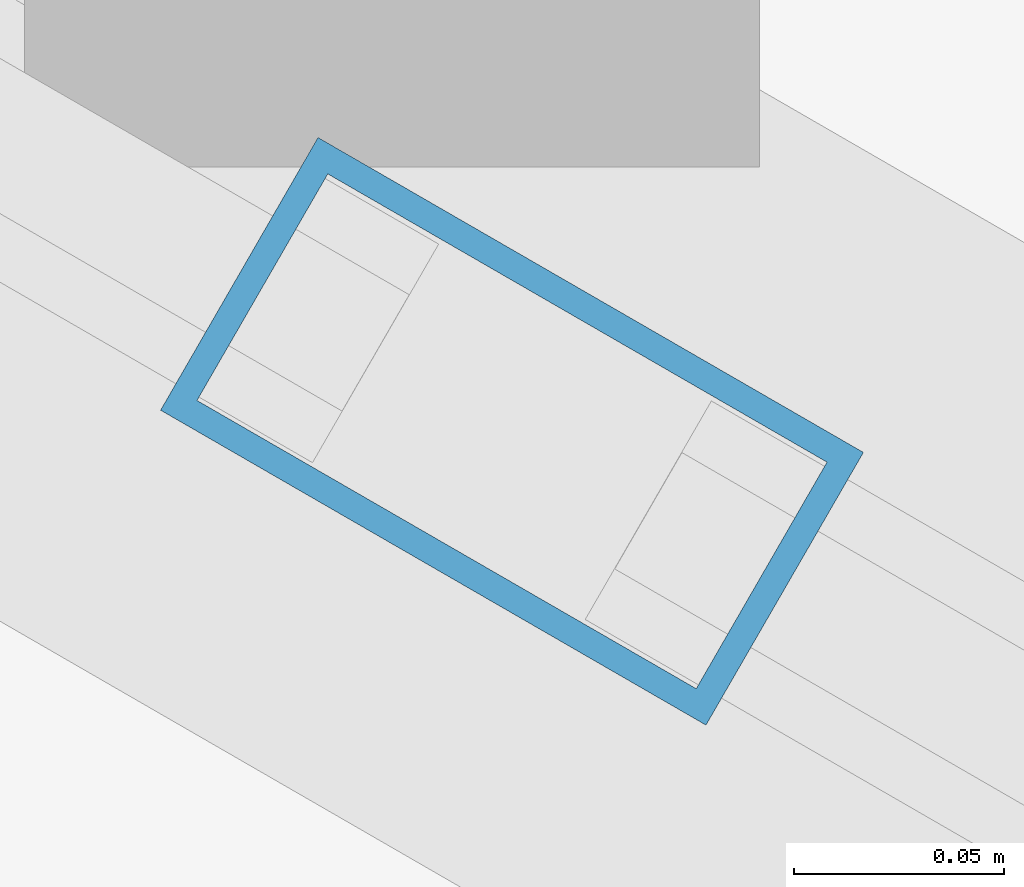
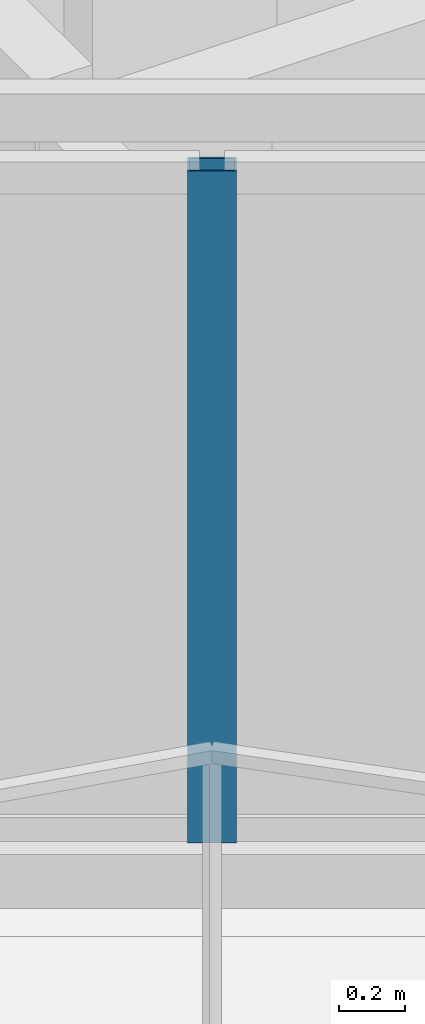
# One storey, part 2 of 18: 1 member, 1 element without a shape of its own.
"""IFC4 building model written with IfcOpenShell, lengths in metres."""

from ifc_helpers import new_model, si_unit, direction, frame, origin, origin_2d, place, context, subcontext, project, spatial, hollow_rectangle, extrude, material, layer, layer_set, material_profile, profile_set, type_object, element, aggregate, save


model = new_model("IFC4")

# Units and contexts
model_context = context("Model", 3, precision=1e-05, world=origin(), true_north=direction((0.0, 1.0)))
body_context = subcontext(model_context, "Body", "Model", "MODEL_VIEW")
ifc_project = project(units=[si_unit("LENGTHUNIT", "METRE"), si_unit("AREAUNIT", "SQUARE_METRE"), si_unit("VOLUMEUNIT", "CUBIC_METRE"), si_unit("PLANEANGLEUNIT", "RADIAN"), si_unit("MASSUNIT", "GRAM", prefix="KILO")], contexts=[model_context])

# Site, building, storey
site_placement = place(None, origin())
site = spatial("IfcSite", under=ifc_project, at=site_placement, CompositionType="ELEMENT")
building_placement = place(site_placement, origin())
building = spatial("IfcBuilding", under=site, at=building_placement, Name="Mersakhor Tower and Convention Hall", CompositionType="ELEMENT")
storey_placement = place(building_placement, frame((0.0, 0.0, 236.39990234375)))
storey = spatial("IfcBuildingStorey", under=building, at=storey_placement, Name="L66", CompositionType="ELEMENT", Elevation=236.39990234375)

# Curtain wall, member
ifc_material_1 = material(Name="Dark solar low-E aluminium curtain wall", Category="aluminium")
ifc_layer = layer(ifc_material_1, 0.179931640625)
ifc_layer_set = layer_set([ifc_layer], Name="Dark solar low-E aluminium curtain wall")
curtain_wall_type = type_object("IfcCurtainWallType", Name="CW-SYS-03", PredefinedType="USERDEFINED", material=ifc_layer_set)
curtain_wall_placement = place(storey_placement, origin())
curtain_wall = element("IfcCurtainWall", 1, at=curtain_wall_placement, inside=storey, type_object=curtain_wall_type, Name="L66 Dark-Glass Curtain Wall F3-B2", ObjectType="CURTAIN WALL", PredefinedType="USERDEFINED")
ifc_material_2 = material(Name="Anodised aluminium EN AW-6063 T6", Category="aluminium")
ifc_material_profile = material_profile(ifc_material_2, hollow_rectangle(XDim=0.074951171875, YDim=0.14990234375, WallThickness=0.00634765625, at=origin_2d()), Name="RHS 150x75x6.3")
ifc_profile_set = profile_set([ifc_material_profile], Name="Anodised aluminium EN AW-6063 T6")
member_type = type_object("IfcMemberType", Name="CWM-150x75", PredefinedType="MULLION", material=ifc_profile_set)
member_placement = place(storey_placement, frame((23.628662109375, 17.446533203125, 0.2001953125), z_axis=(0.0, 0.0, 1.0), x_axis=(-0.500004411169, -0.86602285698, 0.0)))
member = element("IfcMember", 2, at=member_placement, type_object=member_type, Name="CW-03 mullion 2", PredefinedType="MULLION", context=body_context, shape_type="SweptSolid", body=[
    extrude(hollow_rectangle(XDim=0.074951171875, YDim=0.14990234375, WallThickness=0.00634765625, at=origin_2d()), origin(), (0.0, 0.0, 1.0), 2.5),
])
aggregate(curtain_wall, [member])

save(model, "model.ifc")
